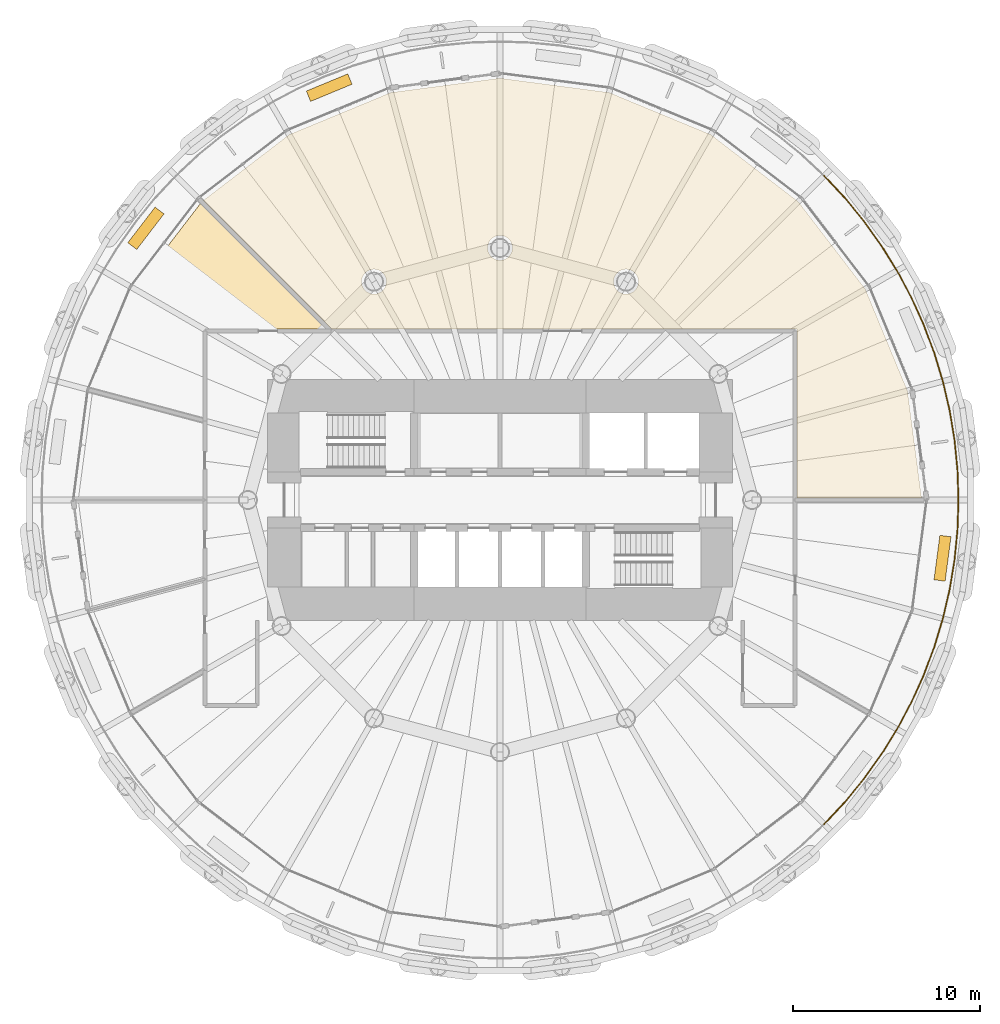
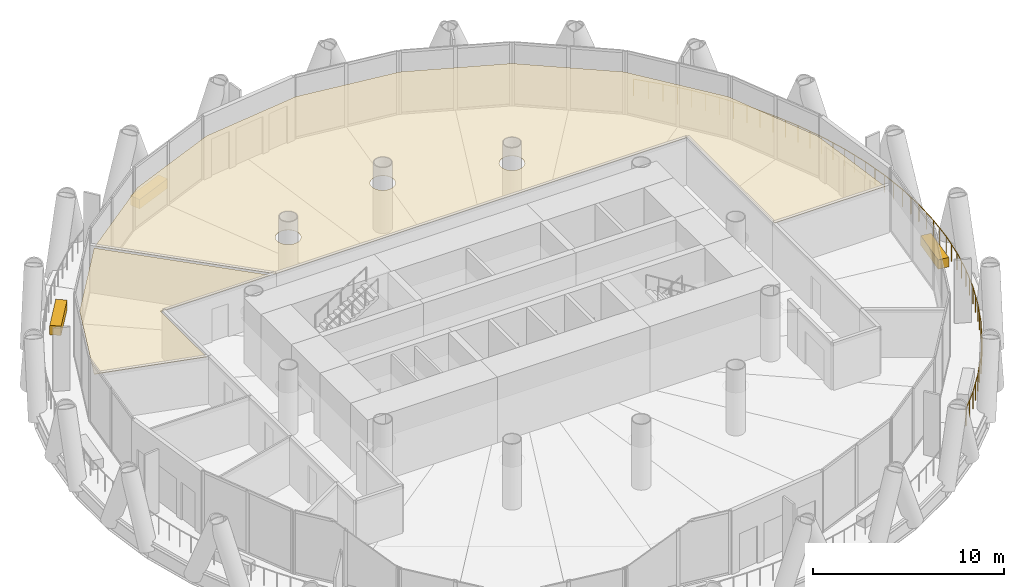
# One storey, part 14 of 15: 5 coverings, 1 railing.
"""IFC4 building model written with IfcOpenShell, lengths in metres."""

from ifc_helpers import new_model, si_unit, direction, frame, origin, origin_2d, place, context, subcontext, project, spatial, polyline, rectangle, circle, outline, extrude, material, layer, layer_set, type_object, element, save


model = new_model("IFC4")

# Units and contexts
model_context = context("Model", 3, precision=1e-05, world=origin(), true_north=direction((0.0, 1.0)))
body_context = subcontext(model_context, "Body", "Model", "MODEL_VIEW")
ifc_project = project(units=[si_unit("LENGTHUNIT", "METRE"), si_unit("AREAUNIT", "SQUARE_METRE"), si_unit("VOLUMEUNIT", "CUBIC_METRE"), si_unit("PLANEANGLEUNIT", "RADIAN"), si_unit("MASSUNIT", "GRAM", prefix="KILO")], contexts=[model_context])

# Site, building, storey
site_placement = place(None, origin())
site = spatial("IfcSite", under=ifc_project, at=site_placement, CompositionType="ELEMENT")
building_placement = place(site_placement, origin())
building = spatial("IfcBuilding", under=site, at=building_placement, Name="Qaws Media Tower", CompositionType="ELEMENT")
storey_placement = place(building_placement, frame((0.0, 0.0, 114.199951171875)))
storey = spatial("IfcBuildingStorey", under=building, at=storey_placement, Name="L25", CompositionType="ELEMENT", Elevation=114.199951171875)

# Covering
ifc_material_1 = material(Name="40 perforated acoustic panels with mineral wool backing, suspended", Category="mineral fibre")
ifc_layer_1 = layer(ifc_material_1, 0.0400390625)
ifc_layer_set_1 = layer_set([ifc_layer_1], Name="Acoustic panel ceiling 40")
covering_type_1 = type_object("IfcCoveringType", Name="Acoustic panel ceiling 40", PredefinedType="CEILING", material=ifc_layer_set_1)
covering_1_placement = place(storey_placement, frame((0.0, 0.0, 2.85009765625)))
element("IfcCovering", 1, at=covering_1_placement, inside=storey, type_object=covering_type_1, Name="CL3 ceiling L25-03 Client meeting room", PredefinedType="CEILING", context=body_context, shape_type="SweptSolid", body=[
    extrude(outline(polyline([(40.440673828125, 61.29248046875), (43.960693359375, 65.880126953125), (50.678466796875, 59.16259765625), (44.08740234375, 59.16259765625), (44.08740234375, 54.380126953125), (38.227783203125, 55.9501953125), (40.440673828125, 61.29248046875)])), origin(), (0.0, 0.0, 1.0), 0.0400390625),
])

# Railing
ifc_material_2 = material(Name="Stainless steel and glass guard", Category="steel")
railing_type = type_object("IfcRailingType", Name="Balcony guard 1100", PredefinedType="GUARDRAIL", material=ifc_material_2)
railing_placement = place(storey_placement, frame((77.359375, 32.640625, 0.0)))
element("IfcRailing", 2, at=railing_placement, inside=storey, type_object=railing_type, Name="GR1 balcony guard L25-4", PredefinedType="GUARDRAIL", context=body_context, shape_type="SweptSolid", body=[
    extrude(circle(Radius=0.02392578125, at=origin_2d()), frame((0.0, 0.0, 1.076171875), z_axis=(0.683708559442, 0.729755168358, 0.0), x_axis=(-0.729755168358, 0.683708559442, 0.0)), (0.0, 0.0, 1.0), 1.6064453125),
    extrude(circle(Radius=0.02392578125, at=origin_2d()), frame((1.098388671875, 1.17236328125, 1.076171875), z_axis=(0.634321269282, 0.773069548835, 0.0), x_axis=(-0.773069548835, 0.634321269282, 0.0)), (0.0, 0.0, 1.0), 1.6064453125),
    extrude(circle(Radius=0.02392578125, at=origin_2d()), frame((2.117431640625, 2.414306640625, 1.076171875), z_axis=(0.582473761618, 0.812849504538, 0.0), x_axis=(-0.812849504538, 0.582473761618, 0.0)), (0.0, 0.0, 1.0), 1.606689453125),
    extrude(circle(Radius=0.02392578125, at=origin_2d()), frame((3.05322265625, 3.72021484375, 1.076171875), z_axis=(0.528085199, 0.849191393384, 0.0), x_axis=(-0.849191393384, 0.528085199, 0.0)), (0.0, 0.0, 1.0), 1.6064453125),
    extrude(circle(Radius=0.02392578125, at=origin_2d()), frame((3.901611328125, 5.08447265625, 1.076171875), z_axis=(0.471424145356, 0.881906613636, 0.0), x_axis=(-0.881906613636, 0.471424145356, 0.0)), (0.0, 0.0, 1.0), 1.6064453125),
    extrude(circle(Radius=0.02392578125, at=origin_2d()), frame((4.658935546875, 6.501220703125, 1.076171875), z_axis=(0.412600349797, 0.910912153474, 0.0), x_axis=(-0.910912153474, 0.412600349797, 0.0)), (0.0, 0.0, 1.0), 1.6064453125),
    extrude(circle(Radius=0.02392578125, at=origin_2d()), frame((5.32177734375, 7.964599609375, 1.076171875), z_axis=(0.352289041388, 0.935891249728, 0.0), x_axis=(-0.935891249728, 0.352289041388, 0.0)), (0.0, 0.0, 1.0), 1.6064453125),
    extrude(circle(Radius=0.02392578125, at=origin_2d()), frame((5.8876953125, 9.468017578125, 1.076171875), z_axis=(0.290260453496, 0.956947683594, 0.0), x_axis=(-0.956947683594, 0.290260453496, 0.0)), (0.0, 0.0, 1.0), 1.6064453125),
    extrude(circle(Radius=0.02392578125, at=origin_2d()), frame((6.35400390625, 11.00537109375, 1.076171875), z_axis=(0.227200790134, 0.973847935236, 0.0), x_axis=(-0.973847935236, 0.227200790134, 0.0)), (0.0, 0.0, 1.0), 1.6064453125),
    extrude(circle(Radius=0.02392578125, at=origin_2d()), frame((6.718994140625, 12.56982421875, 1.076171875), z_axis=(0.162895674781, 0.986643298836, 0.0), x_axis=(-0.986643298836, 0.162895674781, 0.0)), (0.0, 0.0, 1.0), 1.606689453125),
    extrude(circle(Radius=0.02392578125, at=origin_2d()), frame((6.980712890625, 14.155029296875, 1.076171875), z_axis=(0.098028924866, 0.995183565926, 0.0), x_axis=(-0.995183565926, 0.098028924866, 0.0)), (0.0, 0.0, 1.0), 1.6064453125),
    extrude(circle(Radius=0.02392578125, at=origin_2d()), frame((7.13818359375, 15.753662109375, 1.076171875), z_axis=(0.032672223792, 0.999466120383, 0.0), x_axis=(-0.999466120383, 0.032672223792, 0.0)), (0.0, 0.0, 1.0), 1.606689453125),
    extrude(circle(Radius=0.02392578125, at=origin_2d()), frame((7.190673828125, 17.359375, 1.076171875), z_axis=(-0.032672223792, 0.999466120383, 0.0), x_axis=(-0.999466120383, -0.032672223792, 0.0)), (0.0, 0.0, 1.0), 1.606689453125),
    extrude(circle(Radius=0.02392578125, at=origin_2d()), frame((7.13818359375, 18.965087890625, 1.076171875), z_axis=(-0.098028924866, 0.995183565926, 0.0), x_axis=(-0.995183565926, -0.098028924866, 0.0)), (0.0, 0.0, 1.0), 1.6064453125),
    extrude(circle(Radius=0.02392578125, at=origin_2d()), frame((6.980712890625, 20.563720703125, 1.076171875), z_axis=(-0.162895674781, 0.986643298836, 0.0), x_axis=(-0.986643298836, -0.162895674781, 0.0)), (0.0, 0.0, 1.0), 1.606689453125),
    extrude(circle(Radius=0.02392578125, at=origin_2d()), frame((6.718994140625, 22.14892578125, 1.076171875), z_axis=(-0.227200790134, 0.973847935236, 0.0), x_axis=(-0.973847935236, -0.227200790134, 0.0)), (0.0, 0.0, 1.0), 1.6064453125),
    extrude(circle(Radius=0.02392578125, at=origin_2d()), frame((6.35400390625, 23.71337890625, 1.076171875), z_axis=(-0.290260453496, 0.956947683594, 0.0), x_axis=(-0.956947683594, -0.290260453496, 0.0)), (0.0, 0.0, 1.0), 1.6064453125),
    extrude(circle(Radius=0.02392578125, at=origin_2d()), frame((5.8876953125, 25.250732421875, 1.076171875), z_axis=(-0.352289041388, 0.935891249728, 0.0), x_axis=(-0.935891249728, -0.352289041388, 0.0)), (0.0, 0.0, 1.0), 1.6064453125),
    extrude(circle(Radius=0.02392578125, at=origin_2d()), frame((5.32177734375, 26.754150390625, 1.076171875), z_axis=(-0.412600349797, 0.910912153474, 0.0), x_axis=(-0.910912153474, -0.412600349797, 0.0)), (0.0, 0.0, 1.0), 1.6064453125),
    extrude(circle(Radius=0.02392578125, at=origin_2d()), frame((4.658935546875, 28.217529296875, 1.076171875), z_axis=(-0.471424145356, 0.881906613636, 0.0), x_axis=(-0.881906613636, -0.471424145356, 0.0)), (0.0, 0.0, 1.0), 1.6064453125),
    extrude(circle(Radius=0.02392578125, at=origin_2d()), frame((3.901611328125, 29.63427734375, 1.076171875), z_axis=(-0.528085199, 0.849191393384, 0.0), x_axis=(-0.849191393384, -0.528085199, 0.0)), (0.0, 0.0, 1.0), 1.6064453125),
    extrude(circle(Radius=0.02392578125, at=origin_2d()), frame((3.05322265625, 30.99853515625, 1.076171875), z_axis=(-0.582473761618, 0.812849504538, 0.0), x_axis=(-0.812849504538, -0.582473761618, 0.0)), (0.0, 0.0, 1.0), 1.606689453125),
    extrude(circle(Radius=0.02392578125, at=origin_2d()), frame((2.117431640625, 32.304443359375, 1.076171875), z_axis=(-0.634321269282, 0.773069548835, 0.0), x_axis=(-0.773069548835, -0.634321269282, 0.0)), (0.0, 0.0, 1.0), 1.6064453125),
    extrude(circle(Radius=0.02392578125, at=origin_2d()), frame((1.098388671875, 33.54638671875, 1.076171875), z_axis=(-0.683708559442, 0.729755168358, 0.0), x_axis=(-0.729755168358, -0.683708559442, 0.0)), (0.0, 0.0, 1.0), 1.6064453125),
    extrude(circle(Radius=0.02099609375, at=origin_2d()), origin(), (0.0, 0.0, 1.0), 1.052001953125),
    extrude(circle(Radius=0.02099609375, at=origin_2d()), frame((0.54931640625, 0.586181640625, 0.0)), (0.0, 0.0, 1.0), 1.052001953125),
    extrude(circle(Radius=0.02099609375, at=origin_2d()), frame((1.098388671875, 1.17236328125, 0.0)), (0.0, 0.0, 1.0), 1.052001953125),
    extrude(circle(Radius=0.02099609375, at=origin_2d()), frame((1.60791015625, 1.79345703125, 0.0)), (0.0, 0.0, 1.0), 1.052001953125),
    extrude(circle(Radius=0.02099609375, at=origin_2d()), frame((2.117431640625, 2.414306640625, 0.0)), (0.0, 0.0, 1.0), 1.052001953125),
    extrude(circle(Radius=0.02099609375, at=origin_2d()), frame((2.58544921875, 3.0673828125, 0.0)), (0.0, 0.0, 1.0), 1.052001953125),
    extrude(circle(Radius=0.02099609375, at=origin_2d()), frame((3.05322265625, 3.72021484375, 0.0)), (0.0, 0.0, 1.0), 1.052001953125),
    extrude(circle(Radius=0.02099609375, at=origin_2d()), frame((3.4775390625, 4.40234375, 0.0)), (0.0, 0.0, 1.0), 1.052001953125),
    extrude(circle(Radius=0.02099609375, at=origin_2d()), frame((3.901611328125, 5.08447265625, 0.0)), (0.0, 0.0, 1.0), 1.052001953125),
    extrude(circle(Radius=0.02099609375, at=origin_2d()), frame((4.2802734375, 5.79296875, 0.0)), (0.0, 0.0, 1.0), 1.052001953125),
    extrude(circle(Radius=0.02099609375, at=origin_2d()), frame((4.658935546875, 6.501220703125, 0.0)), (0.0, 0.0, 1.0), 1.052001953125),
    extrude(circle(Radius=0.02099609375, at=origin_2d()), frame((4.990234375, 7.23291015625, 0.0)), (0.0, 0.0, 1.0), 1.052001953125),
    extrude(circle(Radius=0.02099609375, at=origin_2d()), frame((5.32177734375, 7.964599609375, 0.0)), (0.0, 0.0, 1.0), 1.052001953125),
    extrude(circle(Radius=0.02099609375, at=origin_2d()), frame((5.604736328125, 8.71630859375, 0.0)), (0.0, 0.0, 1.0), 1.052001953125),
    extrude(circle(Radius=0.02099609375, at=origin_2d()), frame((5.8876953125, 9.468017578125, 0.0)), (0.0, 0.0, 1.0), 1.052001953125),
    extrude(circle(Radius=0.02099609375, at=origin_2d()), frame((6.120849609375, 10.23681640625, 0.0)), (0.0, 0.0, 1.0), 1.052001953125),
    extrude(circle(Radius=0.02099609375, at=origin_2d()), frame((6.35400390625, 11.00537109375, 0.0)), (0.0, 0.0, 1.0), 1.052001953125),
    extrude(circle(Radius=0.02099609375, at=origin_2d()), frame((6.53662109375, 11.78759765625, 0.0)), (0.0, 0.0, 1.0), 1.052001953125),
    extrude(circle(Radius=0.02099609375, at=origin_2d()), frame((6.718994140625, 12.56982421875, 0.0)), (0.0, 0.0, 1.0), 1.052001953125),
    extrude(circle(Radius=0.02099609375, at=origin_2d()), frame((6.849853515625, 13.3623046875, 0.0)), (0.0, 0.0, 1.0), 1.052001953125),
    extrude(circle(Radius=0.02099609375, at=origin_2d()), frame((6.980712890625, 14.155029296875, 0.0)), (0.0, 0.0, 1.0), 1.052001953125),
    extrude(circle(Radius=0.02099609375, at=origin_2d()), frame((7.0595703125, 14.954345703125, 0.0)), (0.0, 0.0, 1.0), 1.052001953125),
    extrude(circle(Radius=0.02099609375, at=origin_2d()), frame((7.13818359375, 15.753662109375, 0.0)), (0.0, 0.0, 1.0), 1.052001953125),
    extrude(circle(Radius=0.02099609375, at=origin_2d()), frame((7.16455078125, 16.556640625, 0.0)), (0.0, 0.0, 1.0), 1.052001953125),
    extrude(circle(Radius=0.02099609375, at=origin_2d()), frame((7.190673828125, 17.359375, 0.0)), (0.0, 0.0, 1.0), 1.052001953125),
    extrude(circle(Radius=0.02099609375, at=origin_2d()), frame((7.16455078125, 18.162109375, 0.0)), (0.0, 0.0, 1.0), 1.052001953125),
    extrude(circle(Radius=0.02099609375, at=origin_2d()), frame((7.13818359375, 18.965087890625, 0.0)), (0.0, 0.0, 1.0), 1.052001953125),
    extrude(circle(Radius=0.02099609375, at=origin_2d()), frame((7.0595703125, 19.764404296875, 0.0)), (0.0, 0.0, 1.0), 1.052001953125),
    extrude(circle(Radius=0.02099609375, at=origin_2d()), frame((6.980712890625, 20.563720703125, 0.0)), (0.0, 0.0, 1.0), 1.052001953125),
    extrude(circle(Radius=0.02099609375, at=origin_2d()), frame((6.849853515625, 21.3564453125, 0.0)), (0.0, 0.0, 1.0), 1.052001953125),
    extrude(circle(Radius=0.02099609375, at=origin_2d()), frame((6.718994140625, 22.14892578125, 0.0)), (0.0, 0.0, 1.0), 1.052001953125),
    extrude(circle(Radius=0.02099609375, at=origin_2d()), frame((6.53662109375, 22.93115234375, 0.0)), (0.0, 0.0, 1.0), 1.052001953125),
    extrude(circle(Radius=0.02099609375, at=origin_2d()), frame((6.35400390625, 23.71337890625, 0.0)), (0.0, 0.0, 1.0), 1.052001953125),
    extrude(circle(Radius=0.02099609375, at=origin_2d()), frame((6.120849609375, 24.48193359375, 0.0)), (0.0, 0.0, 1.0), 1.052001953125),
    extrude(circle(Radius=0.02099609375, at=origin_2d()), frame((5.8876953125, 25.250732421875, 0.0)), (0.0, 0.0, 1.0), 1.052001953125),
    extrude(circle(Radius=0.02099609375, at=origin_2d()), frame((5.604736328125, 26.00244140625, 0.0)), (0.0, 0.0, 1.0), 1.052001953125),
    extrude(circle(Radius=0.02099609375, at=origin_2d()), frame((5.32177734375, 26.754150390625, 0.0)), (0.0, 0.0, 1.0), 1.052001953125),
    extrude(circle(Radius=0.02099609375, at=origin_2d()), frame((4.990234375, 27.48583984375, 0.0)), (0.0, 0.0, 1.0), 1.052001953125),
    extrude(circle(Radius=0.02099609375, at=origin_2d()), frame((4.658935546875, 28.217529296875, 0.0)), (0.0, 0.0, 1.0), 1.052001953125),
    extrude(circle(Radius=0.02099609375, at=origin_2d()), frame((4.2802734375, 28.92578125, 0.0)), (0.0, 0.0, 1.0), 1.052001953125),
    extrude(circle(Radius=0.02099609375, at=origin_2d()), frame((3.901611328125, 29.63427734375, 0.0)), (0.0, 0.0, 1.0), 1.052001953125),
    extrude(circle(Radius=0.02099609375, at=origin_2d()), frame((3.4775390625, 30.31640625, 0.0)), (0.0, 0.0, 1.0), 1.052001953125),
    extrude(circle(Radius=0.02099609375, at=origin_2d()), frame((3.05322265625, 30.99853515625, 0.0)), (0.0, 0.0, 1.0), 1.052001953125),
    extrude(circle(Radius=0.02099609375, at=origin_2d()), frame((2.58544921875, 31.6513671875, 0.0)), (0.0, 0.0, 1.0), 1.052001953125),
    extrude(circle(Radius=0.02099609375, at=origin_2d()), frame((2.117431640625, 32.304443359375, 0.0)), (0.0, 0.0, 1.0), 1.052001953125),
    extrude(circle(Radius=0.02099609375, at=origin_2d()), frame((1.60791015625, 32.92529296875, 0.0)), (0.0, 0.0, 1.0), 1.052001953125),
    extrude(circle(Radius=0.02099609375, at=origin_2d()), frame((1.098388671875, 33.54638671875, 0.0)), (0.0, 0.0, 1.0), 1.052001953125),
    extrude(circle(Radius=0.02099609375, at=origin_2d()), frame((0.54931640625, 34.132568359375, 0.0)), (0.0, 0.0, 1.0), 1.052001953125),
    extrude(circle(Radius=0.02099609375, at=origin_2d()), frame((0.0, 34.71875, 0.0)), (0.0, 0.0, 1.0), 1.052001953125),
])

# Coverings
ifc_material_3 = material(Name="600 x 600 mineral fibre tiles in exposed grid, suspended", Category="mineral fibre")
ifc_layer_2 = layer(ifc_material_3, 0.02001953125)
ifc_layer_set_2 = layer_set([ifc_layer_2], Name="Mineral fibre tile ceiling 20")
covering_type_2 = type_object("IfcCoveringType", Name="Mineral fibre tile ceiling 20", PredefinedType="CEILING", material=ifc_layer_set_2)
covering_2_placement = place(storey_placement, frame((0.0, 0.0, 2.85009765625)))
element("IfcCovering", 3, at=covering_2_placement, inside=storey, type_object=covering_type_2, Name="CL1 ceiling L25-02 Sales office", PredefinedType="CEILING", context=body_context, shape_type="SweptSolid", body=[
    extrude(outline(polyline([(48.70751953125, 69.559326171875), (54.154541015625, 71.815673828125), (60.0, 72.585205078125), (65.845458984375, 71.815673828125), (71.29248046875, 69.559326171875), (75.97021484375, 65.97021484375), (79.559326171875, 61.29248046875), (81.815673828125, 55.845458984375), (82.5703125, 50.112548828125), (75.91259765625, 50.112548828125), (75.91259765625, 59.16259765625), (50.99658203125, 59.16259765625), (44.119873046875, 66.039306640625), (48.70751953125, 69.559326171875)]), holes=[polyline([(53.8671875, 61.435791015625), (53.895263671875, 61.5185546875), (53.912353515625, 61.604248046875), (53.91796875, 61.69140625), (53.912353515625, 61.778564453125), (53.895263671875, 61.8642578125), (53.8671875, 61.947021484375), (53.82861328125, 62.025390625), (53.780029296875, 62.097900390625), (53.722412109375, 62.163818359375), (53.65673828125, 62.22119140625), (53.583984375, 62.269775390625), (53.505615234375, 62.30859375), (53.4228515625, 62.336669921875), (53.337158203125, 62.353515625), (53.25, 62.359375), (53.162841796875, 62.353515625), (53.0771484375, 62.336669921875), (52.994384765625, 62.30859375), (52.916015625, 62.269775390625), (52.84326171875, 62.22119140625), (52.777587890625, 62.163818359375), (52.719970703125, 62.097900390625), (52.67138671875, 62.025390625), (52.6328125, 61.947021484375), (52.604736328125, 61.8642578125), (52.587646484375, 61.778564453125), (52.58203125, 61.69140625), (52.587646484375, 61.604248046875), (52.604736328125, 61.5185546875), (52.6328125, 61.435791015625), (52.67138671875, 61.357421875), (52.719970703125, 61.28466796875), (52.777587890625, 61.218994140625), (52.84326171875, 61.161376953125), (52.916015625, 61.11279296875), (52.994384765625, 61.07421875), (53.0771484375, 61.046142578125), (53.162841796875, 61.029052734375), (53.25, 61.023193359375), (53.337158203125, 61.029052734375), (53.4228515625, 61.046142578125), (53.505615234375, 61.07421875), (53.583984375, 61.11279296875), (53.65673828125, 61.161376953125), (53.722412109375, 61.218994140625), (53.780029296875, 61.28466796875), (53.82861328125, 61.357421875), (53.8671875, 61.435791015625)]), polyline([(60.6171875, 63.244384765625), (60.645263671875, 63.3271484375), (60.662353515625, 63.412841796875), (60.66796875, 63.5), (60.662353515625, 63.587158203125), (60.645263671875, 63.6728515625), (60.6171875, 63.755615234375), (60.57861328125, 63.833984375), (60.530029296875, 63.90673828125), (60.472412109375, 63.972412109375), (60.40673828125, 64.030029296875), (60.333984375, 64.07861328125), (60.255615234375, 64.1171875), (60.1728515625, 64.145263671875), (60.087158203125, 64.162353515625), (60.0, 64.16796875), (59.912841796875, 64.162353515625), (59.8271484375, 64.145263671875), (59.744384765625, 64.1171875), (59.666015625, 64.07861328125), (59.59326171875, 64.030029296875), (59.527587890625, 63.972412109375), (59.469970703125, 63.90673828125), (59.42138671875, 63.833984375), (59.3828125, 63.755615234375), (59.354736328125, 63.6728515625), (59.337646484375, 63.587158203125), (59.33203125, 63.5), (59.337646484375, 63.412841796875), (59.354736328125, 63.3271484375), (59.3828125, 63.244384765625), (59.42138671875, 63.166015625), (59.469970703125, 63.09326171875), (59.527587890625, 63.027587890625), (59.59326171875, 62.969970703125), (59.666015625, 62.92138671875), (59.744384765625, 62.8828125), (59.8271484375, 62.854736328125), (59.912841796875, 62.837646484375), (60.0, 62.83203125), (60.087158203125, 62.837646484375), (60.1728515625, 62.854736328125), (60.255615234375, 62.8828125), (60.333984375, 62.92138671875), (60.40673828125, 62.969970703125), (60.472412109375, 63.027587890625), (60.530029296875, 63.09326171875), (60.57861328125, 63.166015625), (60.6171875, 63.244384765625)]), polyline([(67.3671875, 61.435791015625), (67.395263671875, 61.5185546875), (67.412353515625, 61.604248046875), (67.41796875, 61.69140625), (67.412353515625, 61.778564453125), (67.395263671875, 61.8642578125), (67.3671875, 61.947021484375), (67.32861328125, 62.025390625), (67.280029296875, 62.097900390625), (67.222412109375, 62.163818359375), (67.15673828125, 62.22119140625), (67.083984375, 62.269775390625), (67.005615234375, 62.30859375), (66.9228515625, 62.336669921875), (66.837158203125, 62.353515625), (66.75, 62.359375), (66.662841796875, 62.353515625), (66.5771484375, 62.336669921875), (66.494384765625, 62.30859375), (66.416015625, 62.269775390625), (66.34326171875, 62.22119140625), (66.277587890625, 62.163818359375), (66.219970703125, 62.097900390625), (66.17138671875, 62.025390625), (66.1328125, 61.947021484375), (66.104736328125, 61.8642578125), (66.087646484375, 61.778564453125), (66.08203125, 61.69140625), (66.087646484375, 61.604248046875), (66.104736328125, 61.5185546875), (66.1328125, 61.435791015625), (66.17138671875, 61.357421875), (66.219970703125, 61.28466796875), (66.277587890625, 61.218994140625), (66.34326171875, 61.161376953125), (66.416015625, 61.11279296875), (66.494384765625, 61.07421875), (66.5771484375, 61.046142578125), (66.662841796875, 61.029052734375), (66.75, 61.023193359375), (66.837158203125, 61.029052734375), (66.9228515625, 61.046142578125), (67.005615234375, 61.07421875), (67.083984375, 61.11279296875), (67.15673828125, 61.161376953125), (67.222412109375, 61.218994140625), (67.280029296875, 61.28466796875), (67.32861328125, 61.357421875), (67.3671875, 61.435791015625)])]), origin(), (0.0, 0.0, 1.0), 0.02001953125),
])
ifc_material_4 = material(Name="Precast concrete planter with trailing planting", Category="concrete")
ifc_layer_3 = layer(ifc_material_4, 0.60009765625)
ifc_layer_set_3 = layer_set([ifc_layer_3], Name="Planter 2400x600")
covering_type_3 = type_object("IfcCoveringType", Name="Planter 2400x600", PredefinedType="USERDEFINED", material=ifc_layer_set_3)
for number, where, z_axis, x_axis, name in (
    (4, (50.853759765625, 72.080810546875, 0.0), (0.0, 0.0, 1.0), (-0.923879532511, -0.382683432365, 0.0), "PL1 balcony planter L25-04"),
    (5, (41.038818359375, 64.54931640625, 0.0), (0.0, 0.0, 1.0), (-0.608761429009, -0.793353340291, 0.0), "PL1 balcony planter L25-05"),
    (6, (83.695556640625, 46.88037109375, 0.0), (0.0, 0.0, 1.0), (0.13052619222, 0.991444861374, 0.0), "PL1 balcony planter L25-12"),
):
    element("IfcCovering", number, at=place(storey_placement, frame(where, z_axis=z_axis, x_axis=x_axis)), inside=storey, type_object=covering_type_3, Name=name, ObjectType="PLANTER", PredefinedType="USERDEFINED", context=body_context, shape_type="SweptSolid", body=[
        extrude(rectangle(XDim=2.39990234375, YDim=0.60009765625, at=origin_2d()), origin(), (0.0, 0.0, 1.0), 0.60009765625),
    ])

save(model, "model.ifc")
